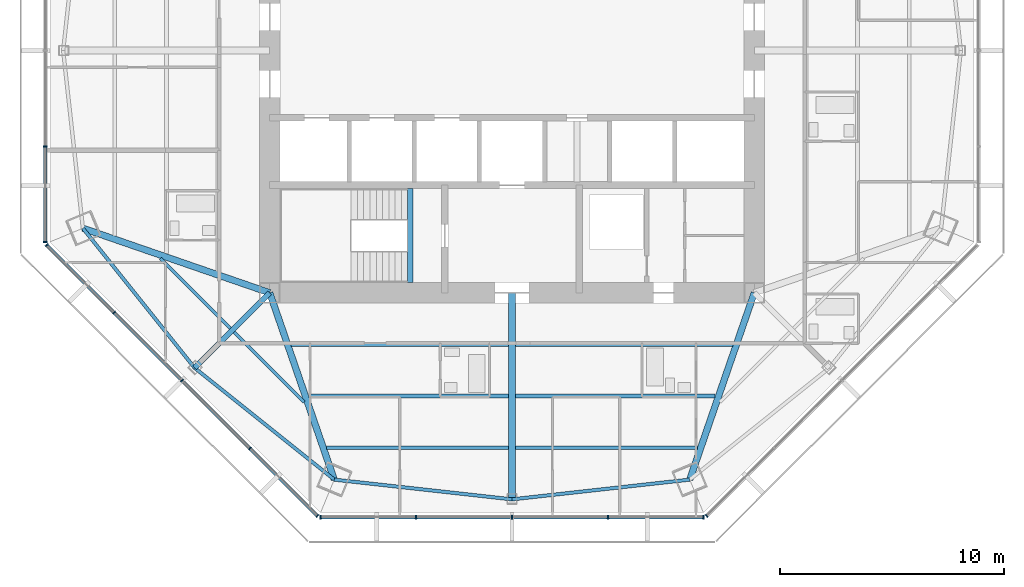
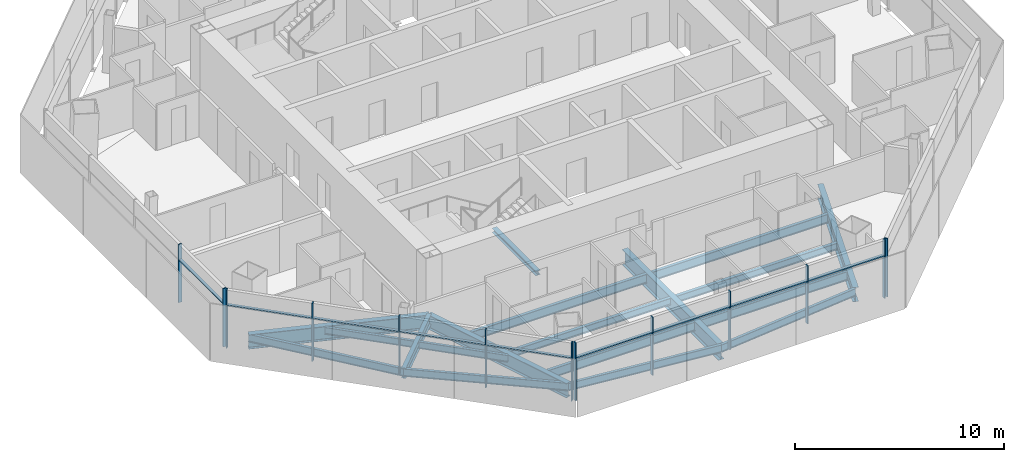
# One storey, part 2 of 14: 22 members, 18 beams, 4 elements without a shape of their own.
"""IFC4 building model written with IfcOpenShell, lengths in metres."""

from ifc_helpers import new_model, si_unit, direction, frame, origin, origin_2d, place, context, subcontext, project, spatial, rectangle, i_section, extrude, source, transform, mapped, material, material_profile, profile_set, type_object, type_shapes, element, aggregate, save


model = new_model("IFC4")

# Units and contexts
model_context = context("Model", 3, precision=1e-05, world=origin(), true_north=direction((0.0, 1.0)))
body_context = subcontext(model_context, "Body", "Model", "MODEL_VIEW")
ifc_project = project(units=[si_unit("LENGTHUNIT", "METRE"), si_unit("AREAUNIT", "SQUARE_METRE"), si_unit("VOLUMEUNIT", "CUBIC_METRE"), si_unit("PLANEANGLEUNIT", "RADIAN"), si_unit("MASSUNIT", "GRAM", prefix="KILO")], contexts=[model_context])

# Site, building, storey
site_placement = place(None, origin())
site = spatial("IfcSite", under=ifc_project, at=site_placement, CompositionType="ELEMENT")
building_placement = place(site_placement, origin())
building = spatial("IfcBuilding", under=site, at=building_placement, Name="Mashrafa Tower", CompositionType="ELEMENT")
storey_placement = place(building_placement, frame((0.0, 0.0, 255.0)))
storey = spatial("IfcBuildingStorey", under=building, at=storey_placement, Name="L61", CompositionType="ELEMENT", Elevation=255.0)

# Beams
ifc_material_1 = material(Name="Steel ASTM A992", Category="steel")
ifc_material_profile_1 = material_profile(ifc_material_1, i_section(OverallWidth=0.140380859375, OverallDepth=0.40380859375, WebThickness=0.007080078125, FlangeThickness=0.01123046875, FilletRadius=0.01025390625, at=origin_2d()), Name="W16X31")
ifc_profile_set_1 = profile_set([ifc_material_profile_1], Name="Steel ASTM A992")
beam_type_1 = type_object("IfcBeamType", Name="Beam W16X31", PredefinedType="BEAM", material=ifc_profile_set_1)
for number, where, z_axis, x_axis, name in (
    (1, (-12.55419921875, -12.392822265625, -0.40185546875), (-0.707106781187, 0.707106781187, 0.0), (-0.707106781187, -0.707106781187, 0.0), "Floor beam L61 008"),
    (2, (-9.27001953125, -15.677001953125, -0.40185546875), (-0.707106781187, 0.707106781187, 0.0), (-0.707106781187, -0.707106781187, 0.0), "Floor beam L61 012"),
):
    element("IfcBeam", number, at=place(storey_placement, frame(where, z_axis=z_axis, x_axis=x_axis)), inside=storey, type_object=beam_type_1, Name=name, PredefinedType="BEAM", context=body_context, shape_type="SweptSolid", body=[
        extrude(i_section(OverallWidth=0.140380859375, OverallDepth=0.40380859375, WebThickness=0.007080078125, FlangeThickness=0.01123046875, FilletRadius=0.01025390625, at=origin_2d()), origin(), (0.0, 0.0, 1.0), 4.416259765625),
    ])
ifc_material_2 = material(Name="Steel ASTM A992", Category="steel")
ifc_material_profile_2 = material_profile(ifc_material_2, i_section(OverallWidth=0.177734375, OverallDepth=0.406494140625, WebThickness=0.0078125, FlangeThickness=0.012939453125, FilletRadius=0.01025390625, at=origin_2d()), Name="W16X40")
ifc_profile_set_2 = profile_set([ifc_material_profile_2], Name="Steel ASTM A992")
beam_type_2 = type_object("IfcBeamType", Name="Beam W16X40", PredefinedType="BEAM", material=ifc_profile_set_2)
for number, where, z_axis, x_axis, name in (
    (3, (-0.15234375, -15.4033203125, -0.4033203125), (-1.0, 0.0, 0.0), (0.0, -1.0, 0.0), "Floor beam L61 015"),
    (4, (9.055419921875, -15.4033203125, -0.4033203125), (-1.0, 0.0, 0.0), (0.0, -1.0, 0.0), "Floor beam L61 022"),
):
    element("IfcBeam", number, at=place(storey_placement, frame(where, z_axis=z_axis, x_axis=x_axis)), inside=storey, type_object=beam_type_2, Name=name, PredefinedType="BEAM", context=body_context, shape_type="SweptSolid", body=[
        extrude(i_section(OverallWidth=0.177734375, OverallDepth=0.406494140625, WebThickness=0.0078125, FlangeThickness=0.012939453125, FilletRadius=0.01025390625, at=origin_2d()), origin(), (0.0, 0.0, 1.0), 8.903076171875),
    ])
ifc_material_3 = material(Name="Steel ASTM A992", Category="steel")
ifc_material_profile_3 = material_profile(ifc_material_3, i_section(OverallWidth=0.15234375, OverallDepth=0.449462890625, WebThickness=0.007568359375, FlangeThickness=0.0107421875, FilletRadius=0.01025390625, at=origin_2d()), Name="W18X35")
ifc_profile_set_3 = profile_set([ifc_material_profile_3], Name="Steel ASTM A992")
beam_type_3 = type_object("IfcBeamType", Name="Beam W18X35", PredefinedType="BEAM", material=ifc_profile_set_3)
for number, where, z_axis, x_axis, name in (
    (5, (-19.128662109375, -7.92333984375, -0.4248046875), (0.624907907066, -0.780698474243, 0.0), (0.780698474243, 0.624907907066, 0.0), "Spandrel beam L61 050"),
    (6, (-14.14697265625, -14.14697265625, -0.4248046875), (0.780698474243, -0.624907907066, 0.0), (0.624907907066, 0.780698474243, 0.0), "Spandrel beam L61 052"),
    (7, (-7.92333984375, -19.128662109375, -0.4248046875), (0.993913949216, -0.110159255418, 0.0), (0.110159255418, 0.993913949216, 0.0), "Spandrel beam L61 054"),
    (8, (0.0, -20.0068359375, -0.4248046875), (0.993913949216, 0.110159255418, 0.0), (-0.110159255418, 0.993913949216, 0.0), "Spandrel beam L61 056"),
):
    element("IfcBeam", number, at=place(storey_placement, frame(where, z_axis=z_axis, x_axis=x_axis)), inside=storey, type_object=beam_type_3, Name=name, PredefinedType="BEAM", context=body_context, shape_type="SweptSolid", body=[
        extrude(i_section(OverallWidth=0.15234375, OverallDepth=0.449462890625, WebThickness=0.007568359375, FlangeThickness=0.0107421875, FilletRadius=0.01025390625, at=origin_2d()), origin(), (0.0, 0.0, 1.0), 7.971923828125),
    ])
ifc_material_4 = material(Name="Steel ASTM A992", Category="steel")
ifc_material_profile_4 = material_profile(ifc_material_4, i_section(OverallWidth=0.165771484375, OverallDepth=0.5283203125, WebThickness=0.009765625, FlangeThickness=0.013671875, FilletRadius=0.012939453125, at=origin_2d()), Name="W21X50")
ifc_profile_set_4 = profile_set([ifc_material_profile_4], Name="Steel ASTM A992")
beam_type_4 = type_object("IfcBeamType", Name="Beam W21X50", PredefinedType="BEAM", material=ifc_profile_set_4)
beam_1_placement = place(storey_placement, frame((-0.15234375, -17.705078125, -0.464111328125), z_axis=(-1.0, 0.0, 0.0), x_axis=(0.0, -1.0, 0.0)))
element("IfcBeam", 9, at=beam_1_placement, inside=storey, type_object=beam_type_4, Name="Floor beam L61 014", PredefinedType="BEAM", context=body_context, shape_type="SweptSolid", body=[
    extrude(i_section(OverallWidth=0.165771484375, OverallDepth=0.5283203125, WebThickness=0.009765625, FlangeThickness=0.013671875, FilletRadius=0.012939453125, at=origin_2d()), origin(), (0.0, 0.0, 1.0), 8.108154296875),
])
beam_2_placement = place(storey_placement, frame((-0.15234375, -13.101806640625, -0.464111328125), z_axis=(-1.0, 0.0, 0.0), x_axis=(0.0, -1.0, 0.0)))
element("IfcBeam", 10, at=beam_2_placement, inside=storey, type_object=beam_type_4, Name="Floor beam L61 016", PredefinedType="BEAM", context=body_context, shape_type="SweptSolid", body=[
    extrude(i_section(OverallWidth=0.165771484375, OverallDepth=0.5283203125, WebThickness=0.009765625, FlangeThickness=0.013671875, FilletRadius=0.012939453125, at=origin_2d()), origin(), (0.0, 0.0, 1.0), 9.6982421875),
])
beam_3_placement = place(storey_placement, frame((8.260498046875, -17.705078125, -0.464111328125), z_axis=(-1.0, 0.0, 0.0), x_axis=(0.0, -1.0, 0.0)))
element("IfcBeam", 11, at=beam_3_placement, inside=storey, type_object=beam_type_4, Name="Floor beam L61 020", PredefinedType="BEAM", context=body_context, shape_type="SweptSolid", body=[
    extrude(i_section(OverallWidth=0.165771484375, OverallDepth=0.5283203125, WebThickness=0.009765625, FlangeThickness=0.013671875, FilletRadius=0.012939453125, at=origin_2d()), origin(), (0.0, 0.0, 1.0), 8.108154296875),
])
beam_4_placement = place(storey_placement, frame((9.8505859375, -13.101806640625, -0.464111328125), z_axis=(-1.0, 0.0, 0.0), x_axis=(0.0, -1.0, 0.0)))
element("IfcBeam", 12, at=beam_4_placement, inside=storey, type_object=beam_type_4, Name="Floor beam L61 023", PredefinedType="BEAM", context=body_context, shape_type="SweptSolid", body=[
    extrude(i_section(OverallWidth=0.165771484375, OverallDepth=0.5283203125, WebThickness=0.009765625, FlangeThickness=0.013671875, FilletRadius=0.012939453125, at=origin_2d()), origin(), (0.0, 0.0, 1.0), 9.6982421875),
])
ifc_material_5 = material(Name="Steel ASTM A992", Category="steel")
ifc_material_profile_5 = material_profile(ifc_material_5, i_section(OverallWidth=0.227783203125, OverallDepth=0.60205078125, WebThickness=0.010498046875, FlangeThickness=0.014892578125, FilletRadius=0.012939453125, at=origin_2d()), Name="W24X68")
ifc_profile_set_5 = profile_set([ifc_material_profile_5], Name="Steel ASTM A992")
beam_type_5 = type_object("IfcBeamType", Name="Beam W24X68", PredefinedType="BEAM", material=ifc_profile_set_5)
beam_5_placement = place(storey_placement, frame((-10.800048828125, -10.800048828125, -0.5009765625), z_axis=(-0.707106781187, -0.707106781187, 0.0), x_axis=(0.707106781187, -0.707106781187, 0.0)))
element("IfcBeam", 13, at=beam_5_placement, inside=storey, type_object=beam_type_5, Name="Radial girder L61 034", PredefinedType="BEAM", context=body_context, shape_type="SweptSolid", body=[
    extrude(i_section(OverallWidth=0.227783203125, OverallDepth=0.60205078125, WebThickness=0.010498046875, FlangeThickness=0.014892578125, FilletRadius=0.012939453125, at=origin_2d()), origin(), (0.0, 0.0, 1.0), 4.733154296875),
])
ifc_material_6 = material(Name="Steel ASTM A992", Category="steel")
ifc_material_profile_6 = material_profile(ifc_material_6, i_section(OverallWidth=0.2919921875, OverallDepth=0.8408203125, WebThickness=0.0146484375, FlangeThickness=0.021728515625, FilletRadius=0.017333984375, at=origin_2d()), Name="W33X130")
ifc_profile_set_6 = profile_set([ifc_material_profile_6], Name="Steel ASTM A992")
beam_type_6 = type_object("IfcBeamType", Name="Beam W33X130", PredefinedType="BEAM", material=ifc_profile_set_6)
for number, where, z_axis, x_axis, name in (
    (14, (-10.800048828125, -10.800048828125, -0.620361328125), (-0.945205907345, 0.326474796454, 0.0), (-0.326474796454, -0.945205907345, 0.0), "Radial girder L61 033"),
    (15, (-10.800048828125, -10.800048828125, -0.620361328125), (0.326474796454, -0.945205907345, 0.0), (0.945205907345, 0.326474796454, 0.0), "Radial girder L61 035"),
    (16, (10.800048828125, -10.800048828125, -0.620361328125), (-0.326474796454, -0.945205907345, 0.0), (0.945205907345, -0.326474796454, 0.0), "Radial girder L61 042"),
):
    element("IfcBeam", number, at=place(storey_placement, frame(where, z_axis=z_axis, x_axis=x_axis)), inside=storey, type_object=beam_type_6, Name=name, PredefinedType="BEAM", context=body_context, shape_type="SweptSolid", body=[
        extrude(i_section(OverallWidth=0.2919921875, OverallDepth=0.8408203125, WebThickness=0.0146484375, FlangeThickness=0.021728515625, FilletRadius=0.017333984375, at=origin_2d()), origin(), (0.0, 0.0, 1.0), 8.8115234375),
    ])
ifc_material_7 = material(Name="Steel ASTM A992", Category="steel")
ifc_material_profile_7 = material_profile(ifc_material_7, i_section(OverallWidth=0.3046875, OverallDepth=0.911865234375, WebThickness=0.015869140625, FlangeThickness=0.02392578125, FilletRadius=0.01904296875, at=origin_2d()), Name="W36X150")
ifc_profile_set_7 = profile_set([ifc_material_profile_7], Name="Steel ASTM A992")
beam_type_7 = type_object("IfcBeamType", Name="Beam W36X150", PredefinedType="BEAM", material=ifc_profile_set_7)
beam_6_placement = place(storey_placement, frame((0.0, -10.800048828125, -0.656005859375), z_axis=(0.0, -1.0, 0.0), x_axis=(1.0, 0.0, 0.0)))
element("IfcBeam", 17, at=beam_6_placement, inside=storey, type_object=beam_type_7, Name="Radial girder L61 040", PredefinedType="BEAM", context=body_context, shape_type="SweptSolid", body=[
    extrude(i_section(OverallWidth=0.3046875, OverallDepth=0.911865234375, WebThickness=0.015869140625, FlangeThickness=0.02392578125, FilletRadius=0.01904296875, at=origin_2d()), origin(), (0.0, 0.0, 1.0), 9.206787109375),
])
ifc_material_8 = material(Name="Steel ASTM A992", Category="steel")
ifc_material_profile_8 = material_profile(ifc_material_8, i_section(OverallWidth=0.25390625, OverallDepth=0.25390625, WebThickness=0.008544921875, FlangeThickness=0.01416015625, FilletRadius=0.010009765625, at=origin_2d()), Name="W10X49")
ifc_profile_set_8 = profile_set([ifc_material_profile_8], Name="Steel ASTM A992")
beam_type_8 = type_object("IfcBeamType", Name="Hoistway beam W10X49", PredefinedType="BEAM", material=ifc_profile_set_8)
beam_7_placement = place(storey_placement, frame((-4.530029296875, -10.35009765625, -0.326904296875), z_axis=(0.0, 1.0, 0.0), x_axis=(-1.0, 0.0, 0.0)))
element("IfcBeam", 18, at=beam_7_placement, inside=storey, type_object=beam_type_8, Name="Stair S3 landing beam L61", PredefinedType="BEAM", context=body_context, shape_type="SweptSolid", body=[
    extrude(i_section(OverallWidth=0.25390625, OverallDepth=0.25390625, WebThickness=0.008544921875, FlangeThickness=0.01416015625, FilletRadius=0.010009765625, at=origin_2d()), origin(), (0.0, 0.0, 1.0), 4.2001953125),
])

# Curtain wall, members
ifc_material_9 = material(Name="Unitised aluminium curtain wall", Category="aluminium")
curtain_wall_type = type_object("IfcCurtainWallType", Name="Apartment curtain wall, zone 3 CW-C 180 deep", PredefinedType="NOTDEFINED", material=ifc_material_9)
curtain_wall_1_placement = place(storey_placement, origin())
curtain_wall_1 = element("IfcCurtainWall", 19, at=curtain_wall_1_placement, inside=storey, type_object=curtain_wall_type, Name="Apartment curtain wall, zone 3 L61 west", PredefinedType="NOTDEFINED")
ifc_material_10 = material(Name="Extruded aluminium mullion", Category="aluminium")
ifc_material_profile_9 = material_profile(ifc_material_10, rectangle(XDim=0.179931640625, YDim=0.06005859375, at=origin_2d()), Name="Mullion 60x180")
ifc_profile_set_9 = profile_set([ifc_material_profile_9], Name="Extruded aluminium mullion")
member_type_1 = type_object("IfcMemberType", Name="Mullion CW-C 60 x 180", PredefinedType="MULLION", material=ifc_profile_set_9)
shared_shape_1 = source(origin(), body_context, "Body", "SweptSolid", [
    extrude(rectangle(XDim=0.179931640625, YDim=0.06005859375, at=origin_2d()), origin(), (0.0, 0.0, 1.0), 3.39990234375),
])
type_shapes(member_type_1, [shared_shape_1])
member_1_placement = place(storey_placement, frame((-20.801025390625, -4.284423828125, 0.0), z_axis=(0.0, 0.0, 1.0), x_axis=(1.0, 0.0, 0.0)))
member_1 = element("IfcMember", 20, at=member_1_placement, type_object=member_type_1, Name="CW-C mullion 4", PredefinedType="MULLION", context=body_context, shape_type="MappedRepresentation", body=[
    mapped(shared_shape_1, transform((0.0, 0.0, 0.0))),
])
member_2_placement = place(storey_placement, frame((-20.801025390625, -8.538818359375, 0.0), z_axis=(0.0, 0.0, 1.0), x_axis=(1.0, 0.0, 0.0)))
member_2 = element("IfcMember", 21, at=member_2_placement, type_object=member_type_1, Name="CW-C mullion 5", PredefinedType="MULLION", context=body_context, shape_type="MappedRepresentation", body=[
    mapped(shared_shape_1, transform((0.0, 0.0, 0.0))),
])

curtain_wall_2_placement = place(storey_placement, origin())
curtain_wall_2 = element("IfcCurtainWall", 22, at=curtain_wall_2_placement, inside=storey, type_object=curtain_wall_type, Name="Apartment curtain wall, zone 3 L61 south-west", PredefinedType="NOTDEFINED")
member_3_placement = place(storey_placement, frame((-20.74658203125, -8.670654296875, 0.0), z_axis=(0.0, 0.0, 1.0), x_axis=(0.707106781187, 0.707106781187, 0.0)))
member_3 = element("IfcMember", 23, at=member_3_placement, type_object=member_type_1, Name="CW-C mullion 1", PredefinedType="MULLION", context=body_context, shape_type="MappedRepresentation", body=[
    mapped(shared_shape_1, transform((0.0, 0.0, 0.0))),
])
member_4_placement = place(storey_placement, frame((-17.73828125, -11.67919921875, 0.0), z_axis=(0.0, 0.0, 1.0), x_axis=(0.707106781187, 0.707106781187, 0.0)))
member_4 = element("IfcMember", 24, at=member_4_placement, type_object=member_type_1, Name="CW-C mullion 2", PredefinedType="MULLION", context=body_context, shape_type="MappedRepresentation", body=[
    mapped(shared_shape_1, transform((0.0, 0.0, 0.0))),
])
member_5_placement = place(storey_placement, frame((-14.708740234375, -14.708740234375, 0.0), z_axis=(0.0, 0.0, 1.0), x_axis=(0.707106781187, 0.707106781187, 0.0)))
member_5 = element("IfcMember", 25, at=member_5_placement, type_object=member_type_1, Name="CW-C mullion 3", PredefinedType="MULLION", context=body_context, shape_type="MappedRepresentation", body=[
    mapped(shared_shape_1, transform((0.0, 0.0, 0.0))),
])
member_6_placement = place(storey_placement, frame((-11.67919921875, -17.73828125, 0.0), z_axis=(0.0, 0.0, 1.0), x_axis=(0.707106781187, 0.707106781187, 0.0)))
member_6 = element("IfcMember", 26, at=member_6_placement, type_object=member_type_1, Name="CW-C mullion 4", PredefinedType="MULLION", context=body_context, shape_type="MappedRepresentation", body=[
    mapped(shared_shape_1, transform((0.0, 0.0, 0.0))),
])
member_7_placement = place(storey_placement, frame((-8.670654296875, -20.74658203125, 0.0), z_axis=(0.0, 0.0, 1.0), x_axis=(0.707106781187, 0.707106781187, 0.0)))
member_7 = element("IfcMember", 27, at=member_7_placement, type_object=member_type_1, Name="CW-C mullion 5", PredefinedType="MULLION", context=body_context, shape_type="MappedRepresentation", body=[
    mapped(shared_shape_1, transform((0.0, 0.0, 0.0))),
])

curtain_wall_3_placement = place(storey_placement, origin())
curtain_wall_3 = element("IfcCurtainWall", 28, at=curtain_wall_3_placement, inside=storey, type_object=curtain_wall_type, Name="Apartment curtain wall, zone 3 L61 south", PredefinedType="NOTDEFINED")
member_8_placement = place(storey_placement, frame((-8.538818359375, -20.801025390625, 0.0), z_axis=(0.0, 0.0, 1.0), x_axis=(0.0, 1.0, 0.0)))
member_8 = element("IfcMember", 29, at=member_8_placement, type_object=member_type_1, Name="CW-C mullion 1", PredefinedType="MULLION", context=body_context, shape_type="MappedRepresentation", body=[
    mapped(shared_shape_1, transform((0.0, 0.0, 0.0))),
])
member_9_placement = place(storey_placement, frame((-4.284423828125, -20.801025390625, 0.0), z_axis=(0.0, 0.0, 1.0), x_axis=(0.0, 1.0, 0.0)))
member_9 = element("IfcMember", 30, at=member_9_placement, type_object=member_type_1, Name="CW-C mullion 2", PredefinedType="MULLION", context=body_context, shape_type="MappedRepresentation", body=[
    mapped(shared_shape_1, transform((0.0, 0.0, 0.0))),
])
member_10_placement = place(storey_placement, frame((0.0, -20.801025390625, 0.0), z_axis=(0.0, 0.0, 1.0), x_axis=(0.0, 1.0, 0.0)))
member_10 = element("IfcMember", 31, at=member_10_placement, type_object=member_type_1, Name="CW-C mullion 3", PredefinedType="MULLION", context=body_context, shape_type="MappedRepresentation", body=[
    mapped(shared_shape_1, transform((0.0, 0.0, 0.0))),
])
member_11_placement = place(storey_placement, frame((4.284423828125, -20.801025390625, 0.0), z_axis=(0.0, 0.0, 1.0), x_axis=(0.0, 1.0, 0.0)))
member_11 = element("IfcMember", 32, at=member_11_placement, type_object=member_type_1, Name="CW-C mullion 4", PredefinedType="MULLION", context=body_context, shape_type="MappedRepresentation", body=[
    mapped(shared_shape_1, transform((0.0, 0.0, 0.0))),
])
member_12_placement = place(storey_placement, frame((8.538818359375, -20.801025390625, 0.0), z_axis=(0.0, 0.0, 1.0), x_axis=(0.0, 1.0, 0.0)))
member_12 = element("IfcMember", 33, at=member_12_placement, type_object=member_type_1, Name="CW-C mullion 5", PredefinedType="MULLION", context=body_context, shape_type="MappedRepresentation", body=[
    mapped(shared_shape_1, transform((0.0, 0.0, 0.0))),
])

# Curtain wall, member
curtain_wall_4_placement = place(storey_placement, origin())
curtain_wall_4 = element("IfcCurtainWall", 34, at=curtain_wall_4_placement, inside=storey, type_object=curtain_wall_type, Name="Apartment curtain wall, zone 3 L61 south-east", PredefinedType="NOTDEFINED")
member_13_placement = place(storey_placement, frame((8.670654296875, -20.74658203125, 0.0), z_axis=(0.0, 0.0, 1.0), x_axis=(-0.707106781187, 0.707106781187, 0.0)))
member_13 = element("IfcMember", 35, at=member_13_placement, type_object=member_type_1, Name="CW-C mullion 1", PredefinedType="MULLION", context=body_context, shape_type="MappedRepresentation", body=[
    mapped(shared_shape_1, transform((0.0, 0.0, 0.0))),
])
aggregate(curtain_wall_4, [member_13])

# Member
ifc_material_11 = material(Name="Extruded aluminium transom", Category="aluminium")
ifc_material_profile_10 = material_profile(ifc_material_11, rectangle(XDim=0.14404296875, YDim=0.074951171875, at=origin_2d()), Name="Transom 75x144")
ifc_profile_set_10 = profile_set([ifc_material_profile_10], Name="Extruded aluminium transom")
member_type_2 = type_object("IfcMemberType", Name="Transom CW-C 75 x 144", PredefinedType="MULLION", material=ifc_profile_set_10)
shared_shape_2 = source(origin(), body_context, "Body", "SweptSolid", [
    extrude(rectangle(XDim=0.14404296875, YDim=0.074951171875, at=origin_2d()), origin(), (0.0, 0.0, 1.0), 4.1943359375),
])
member_14_placement = place(storey_placement, frame((-20.801025390625, -4.314453125, 2.5), z_axis=(0.0, -1.0, 0.0), x_axis=(1.0, 0.0, 0.0)))
member_14 = element("IfcMember", 36, at=member_14_placement, type_object=member_type_2, Name="CW-C transom 4", PredefinedType="MULLION", context=body_context, shape_type="MappedRepresentation", body=[
    mapped(shared_shape_2, transform((0.0, 0.0, 0.0))),
])

aggregate(curtain_wall_1, [member_1, member_2, member_14])

member_15_placement = place(storey_placement, frame((-8.5087890625, -20.801025390625, 2.5), z_axis=(1.0, 0.0, 0.0), x_axis=(0.0, 1.0, 0.0)))
member_15 = element("IfcMember", 37, at=member_15_placement, type_object=member_type_2, Name="CW-C transom 1", PredefinedType="MULLION", context=body_context, shape_type="MappedRepresentation", body=[
    mapped(shared_shape_2, transform((0.0, 0.0, 0.0))),
])

member_16_placement = place(storey_placement, frame((4.314453125, -20.801025390625, 2.5), z_axis=(1.0, 0.0, 0.0), x_axis=(0.0, 1.0, 0.0)))
member_16 = element("IfcMember", 38, at=member_16_placement, type_object=member_type_2, Name="CW-C transom 4", PredefinedType="MULLION", context=body_context, shape_type="MappedRepresentation", body=[
    mapped(shared_shape_2, transform((0.0, 0.0, 0.0))),
])

shared_shape_3 = source(origin(), body_context, "Body", "SweptSolid", [
    extrude(rectangle(XDim=0.14404296875, YDim=0.074951171875, at=origin_2d()), origin(), (0.0, 0.0, 1.0), 4.224365234375),
])
member_17_placement = place(storey_placement, frame((-4.25439453125, -20.801025390625, 2.5), z_axis=(1.0, 0.0, 0.0), x_axis=(0.0, 1.0, 0.0)))
member_17 = element("IfcMember", 39, at=member_17_placement, type_object=member_type_2, Name="CW-C transom 2", PredefinedType="MULLION", context=body_context, shape_type="MappedRepresentation", body=[
    mapped(shared_shape_3, transform((0.0, 0.0, 0.0))),
])

member_18_placement = place(storey_placement, frame((0.030029296875, -20.801025390625, 2.5), z_axis=(1.0, 0.0, 0.0), x_axis=(0.0, 1.0, 0.0)))
member_18 = element("IfcMember", 40, at=member_18_placement, type_object=member_type_2, Name="CW-C transom 3", PredefinedType="MULLION", context=body_context, shape_type="MappedRepresentation", body=[
    mapped(shared_shape_3, transform((0.0, 0.0, 0.0))),
])

aggregate(curtain_wall_3, [member_8, member_9, member_10, member_11, member_12, member_15, member_17, member_18, member_16])

shared_shape_4 = source(origin(), body_context, "Body", "SweptSolid", [
    extrude(rectangle(XDim=0.14404296875, YDim=0.074951171875, at=origin_2d()), origin(), (0.0, 0.0, 1.0), 4.194580078125),
])
member_19_placement = place(storey_placement, frame((-20.725341796875, -8.69189453125, 2.5), z_axis=(0.707106781187, -0.707106781187, 0.0), x_axis=(0.707106781187, 0.707106781187, 0.0)))
member_19 = element("IfcMember", 41, at=member_19_placement, type_object=member_type_2, Name="CW-C transom 1", PredefinedType="MULLION", context=body_context, shape_type="MappedRepresentation", body=[
    mapped(shared_shape_4, transform((0.0, 0.0, 0.0))),
])

member_20_placement = place(storey_placement, frame((-11.657958984375, -17.75927734375, 2.5), z_axis=(0.707106781187, -0.707106781187, 0.0), x_axis=(0.707106781187, 0.707106781187, 0.0)))
member_20 = element("IfcMember", 42, at=member_20_placement, type_object=member_type_2, Name="CW-C transom 4", PredefinedType="MULLION", context=body_context, shape_type="MappedRepresentation", body=[
    mapped(shared_shape_4, transform((0.0, 0.0, 0.0))),
])

shared_shape_5 = source(origin(), body_context, "Body", "SweptSolid", [
    extrude(rectangle(XDim=0.14404296875, YDim=0.074951171875, at=origin_2d()), origin(), (0.0, 0.0, 1.0), 4.224609375),
])
type_shapes(member_type_2, [shared_shape_2, shared_shape_3, shared_shape_4, shared_shape_5])
member_21_placement = place(storey_placement, frame((-17.717041015625, -11.7001953125, 2.5), z_axis=(0.707106781187, -0.707106781187, 0.0), x_axis=(0.707106781187, 0.707106781187, 0.0)))
member_21 = element("IfcMember", 43, at=member_21_placement, type_object=member_type_2, Name="CW-C transom 2", PredefinedType="MULLION", context=body_context, shape_type="MappedRepresentation", body=[
    mapped(shared_shape_5, transform((0.0, 0.0, 0.0))),
])

member_22_placement = place(storey_placement, frame((-14.6875, -14.729736328125, 2.5), z_axis=(0.707106781187, -0.707106781187, 0.0), x_axis=(0.707106781187, 0.707106781187, 0.0)))
member_22 = element("IfcMember", 44, at=member_22_placement, type_object=member_type_2, Name="CW-C transom 3", PredefinedType="MULLION", context=body_context, shape_type="MappedRepresentation", body=[
    mapped(shared_shape_5, transform((0.0, 0.0, 0.0))),
])

aggregate(curtain_wall_2, [member_3, member_4, member_5, member_6, member_7, member_19, member_21, member_22, member_20])

save(model, "model.ifc")
